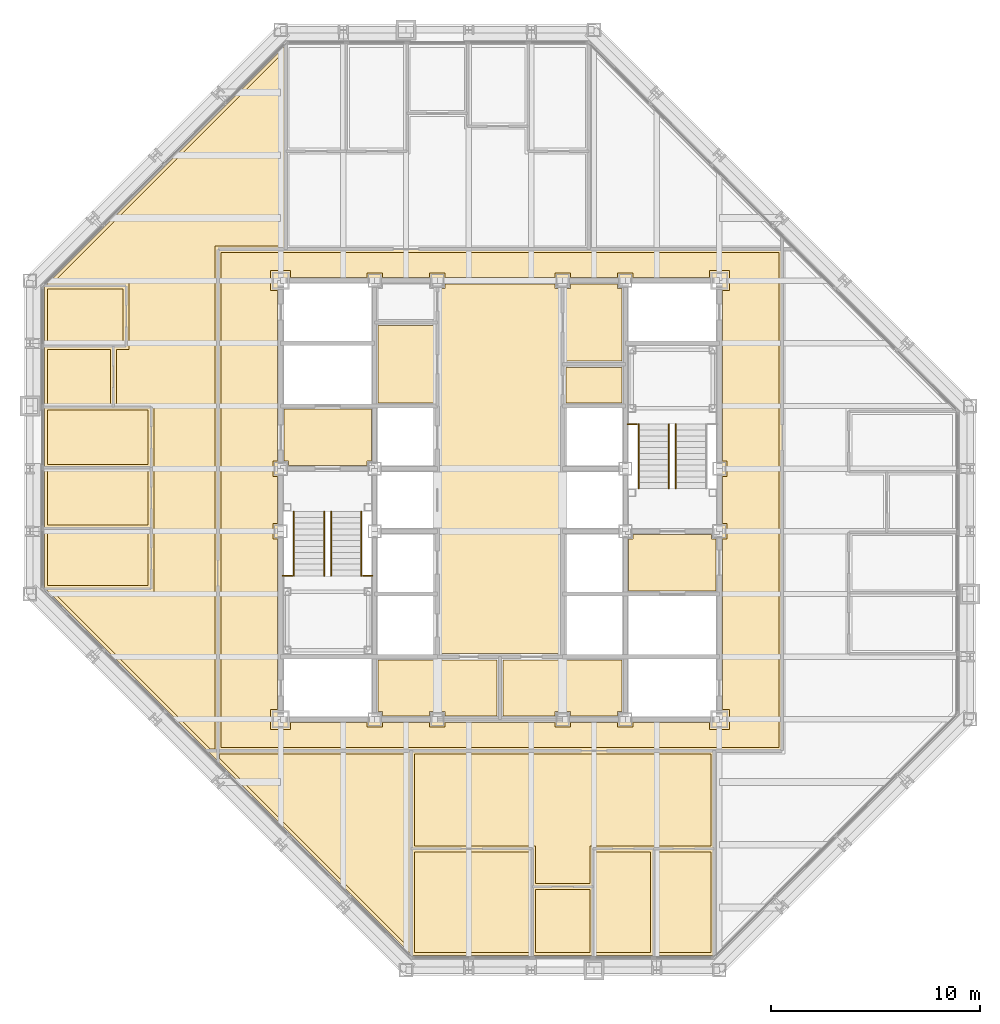
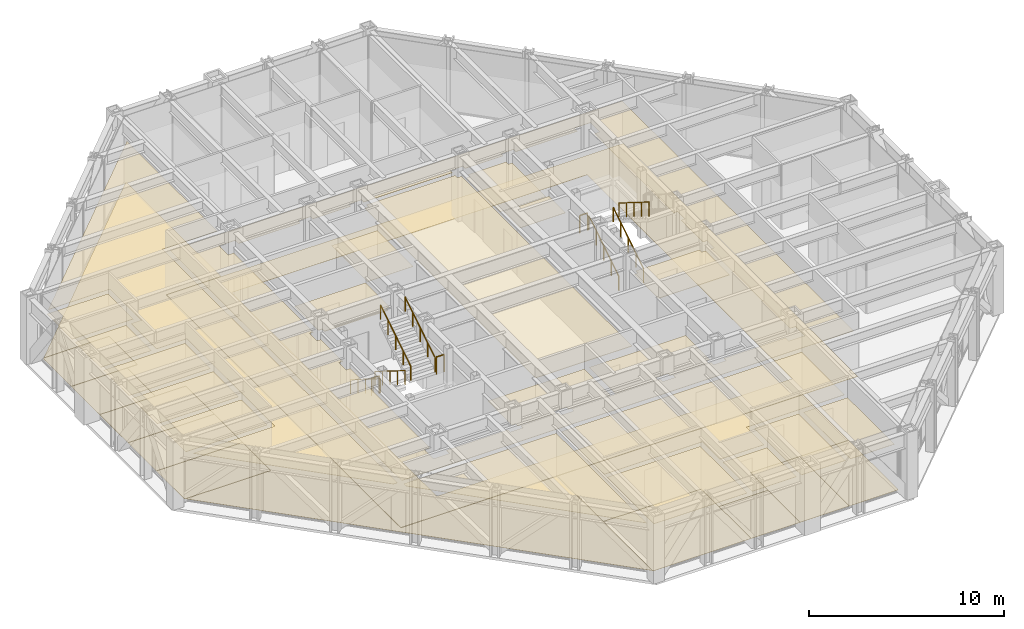
# One storey, part 14 of 15: 33 coverings, 10 railings.
"""IFC4 building model written with IfcOpenShell, lengths in metres."""

from ifc_helpers import new_model, si_unit, direction, frame, origin, origin_2d, place, context, subcontext, project, spatial, polyline, circle, outline, extrude, material, layer, layer_set, type_object, element, save


model = new_model("IFC4")

# Units and contexts
model_context = context("Model", 3, precision=1e-05, world=origin(), true_north=direction((0.0, 1.0)))
body_context = subcontext(model_context, "Body", "Model", "MODEL_VIEW")
ifc_project = project(units=[si_unit("LENGTHUNIT", "METRE"), si_unit("AREAUNIT", "SQUARE_METRE"), si_unit("VOLUMEUNIT", "CUBIC_METRE"), si_unit("PLANEANGLEUNIT", "RADIAN"), si_unit("MASSUNIT", "GRAM", prefix="KILO")], contexts=[model_context])

# Site, building, storey
site_placement = place(None, origin())
site = spatial("IfcSite", under=ifc_project, at=site_placement, CompositionType="ELEMENT")
building_placement = place(site_placement, origin())
building = spatial("IfcBuilding", under=site, at=building_placement, Name="Chuquiago Exchange Tower", CompositionType="ELEMENT")
storey_placement = place(building_placement, frame((0.0, 0.0, 197.10009765625)))
storey = spatial("IfcBuildingStorey", under=building, at=storey_placement, Name="L43", CompositionType="ELEMENT", Elevation=197.10009765625)

# Coverings
ifc_material_1 = material(Name="Mineral fibre tile, 600 x 600, on pale metal grid", Category="mineral fibre")
ifc_layer_1 = layer(ifc_material_1, 0.02001953125)
ifc_layer_set_1 = layer_set([ifc_layer_1], Name="CL1 suspended tile ceiling 20")
covering_type_1 = type_object("IfcCoveringType", Name="CL1 suspended tile ceiling 20", PredefinedType="CEILING", material=ifc_layer_set_1)
covering_1_placement = place(storey_placement, frame((0.0, 0.0, 2.7998046875)))
element("IfcCovering", 1, at=covering_1_placement, inside=storey, type_object=covering_type_1, Name="Ceiling Meeting room", PredefinedType="CEILING", context=body_context, shape_type="SweptSolid", body=[
    extrude(outline(polyline([(18.3984375, 5.64990234375), (23.899658203125, 5.64990234375), (23.899658203125, 0.85009765625), (18.3984375, 0.85009765625), (18.3984375, 5.64990234375)])), origin(), (0.0, 0.0, 1.0), 0.02001953125),
])
covering_2_placement = place(storey_placement, frame((0.0, 0.0, 2.7998046875)))
element("IfcCovering", 2, at=covering_2_placement, inside=storey, type_object=covering_type_1, Name="Ceiling Focus room", PredefinedType="CEILING", context=body_context, shape_type="SweptSolid", body=[
    extrude(outline(polyline([(24.19970703125, 3.85009765625), (26.80029296875, 3.85009765625), (26.80029296875, 0.85009765625), (24.19970703125, 0.85009765625), (24.19970703125, 3.85009765625)])), origin(), (0.0, 0.0, 1.0), 0.02001953125),
])
covering_3_placement = place(storey_placement, frame((0.0, 0.0, 2.7998046875)))
element("IfcCovering", 3, at=covering_3_placement, inside=storey, type_object=covering_type_1, Name="Ceiling Office", PredefinedType="CEILING", context=body_context, shape_type="SweptSolid", body=[
    extrude(outline(polyline([(27.100341796875, 5.64990234375), (29.700927734375, 5.64990234375), (29.700927734375, 0.85009765625), (27.100341796875, 0.85009765625), (27.100341796875, 5.64990234375)])), origin(), (0.0, 0.0, 1.0), 0.02001953125),
])
covering_4_placement = place(storey_placement, frame((0.0, 0.0, 2.7998046875)))
element("IfcCovering", 4, at=covering_4_placement, inside=storey, type_object=covering_type_1, Name="Ceiling Office", PredefinedType="CEILING", context=body_context, shape_type="SweptSolid", body=[
    extrude(outline(polyline([(30.0009765625, 0.85009765625), (30.0009765625, 5.64990234375), (32.6015625, 5.64990234375), (32.6015625, 0.85009765625), (30.0009765625, 0.85009765625)])), origin(), (0.0, 0.0, 1.0), 0.02001953125),
])
covering_5_placement = place(storey_placement, frame((0.0, 0.0, 2.7998046875)))
element("IfcCovering", 5, at=covering_5_placement, inside=storey, type_object=covering_type_1, Name="Ceiling Meeting room", PredefinedType="CEILING", context=body_context, shape_type="SweptSolid", body=[
    extrude(outline(polyline([(0.85009765625, 20.9990234375), (5.64990234375, 20.9990234375), (5.64990234375, 18.3984375), (0.85009765625, 18.3984375), (0.85009765625, 20.9990234375)])), origin(), (0.0, 0.0, 1.0), 0.02001953125),
])
covering_6_placement = place(storey_placement, frame((0.0, 0.0, 2.7998046875)))
element("IfcCovering", 6, at=covering_6_placement, inside=storey, type_object=covering_type_1, Name="Ceiling Office", PredefinedType="CEILING", context=body_context, shape_type="SweptSolid", body=[
    extrude(outline(polyline([(5.64990234375, 23.899658203125), (5.64990234375, 21.299072265625), (0.85009765625, 21.299072265625), (0.85009765625, 23.899658203125), (5.64990234375, 23.899658203125)])), origin(), (0.0, 0.0, 1.0), 0.02001953125),
])
covering_7_placement = place(storey_placement, frame((0.0, 0.0, 2.7998046875)))
element("IfcCovering", 7, at=covering_7_placement, inside=storey, type_object=covering_type_1, Name="Ceiling Office", PredefinedType="CEILING", context=body_context, shape_type="SweptSolid", body=[
    extrude(outline(polyline([(5.64990234375, 26.80029296875), (5.64990234375, 24.19970703125), (0.85009765625, 24.19970703125), (0.85009765625, 26.80029296875), (5.64990234375, 26.80029296875)])), origin(), (0.0, 0.0, 1.0), 0.02001953125),
])
covering_8_placement = place(storey_placement, frame((0.0, 0.0, 2.7998046875)))
element("IfcCovering", 8, at=covering_8_placement, inside=storey, type_object=covering_type_1, Name="Ceiling Focus room", PredefinedType="CEILING", context=body_context, shape_type="SweptSolid", body=[
    extrude(outline(polyline([(3.85009765625, 29.700927734375), (3.85009765625, 27.100341796875), (0.85009765625, 27.100341796875), (0.85009765625, 29.700927734375), (3.85009765625, 29.700927734375)])), origin(), (0.0, 0.0, 1.0), 0.02001953125),
])
covering_9_placement = place(storey_placement, frame((0.0, 0.0, 2.7998046875)))
element("IfcCovering", 9, at=covering_9_placement, inside=storey, type_object=covering_type_1, Name="Ceiling Pantry", PredefinedType="CEILING", context=body_context, shape_type="SweptSolid", body=[
    extrude(outline(polyline([(4.449951171875, 32.6015625), (4.449951171875, 30.0009765625), (0.85009765625, 30.0009765625), (0.85009765625, 32.6015625), (4.449951171875, 32.6015625)])), origin(), (0.0, 0.0, 1.0), 0.02001953125),
])
covering_10_placement = place(storey_placement, frame((0.0, 0.0, 2.7998046875)))
element("IfcCovering", 10, at=covering_10_placement, inside=storey, type_object=covering_type_1, Name="Ceiling Open office south suite", PredefinedType="CEILING", context=body_context, shape_type="SweptSolid", body=[
    extrude(outline(polyline([(26.80029296875, 5.949951171875), (26.80029296875, 4.14990234375), (24.19970703125, 4.14990234375), (24.19970703125, 5.949951171875), (18.39892578125, 5.949951171875), (18.39892578125, 10.349609375), (32.60107421875, 10.349609375), (32.60107421875, 5.949951171875), (26.80029296875, 5.949951171875)])), origin(), (0.0, 0.0, 1.0), 0.02001953125),
])
covering_11_placement = place(storey_placement, frame((0.0, 0.0, 2.7998046875)))
element("IfcCovering", 11, at=covering_11_placement, inside=storey, type_object=covering_type_1, Name="Ceiling Open office west suite", PredefinedType="CEILING", context=body_context, shape_type="SweptSolid", body=[
    extrude(outline(polyline([(5.949951171875, 18.098388671875), (5.949951171875, 27.100341796875), (4.14990234375, 27.100341796875), (4.14990234375, 29.700927734375), (4.75, 29.700927734375), (4.75, 32.901611328125), (1.103515625, 32.901611328125), (12.097900390625, 43.89599609375), (12.097900390625, 34.650390625), (8.849609375, 34.64990234375), (8.849609375, 10.5849609375), (8.616943359375, 10.5849609375), (1.103515625, 18.098388671875), (5.949951171875, 18.098388671875)])), origin(), (0.0, 0.0, 1.0), 0.02001953125),
])
covering_12_placement = place(storey_placement, frame((0.0, 0.0, 2.7998046875)))
element("IfcCovering", 12, at=covering_12_placement, inside=storey, type_object=covering_type_1, Name="Ceiling Open office west suite", PredefinedType="CEILING", context=body_context, shape_type="SweptSolid", body=[
    extrude(outline(polyline([(18.097900390625, 10.349609375), (18.097900390625, 1.10400390625), (9.0849609375, 10.116943359375), (9.0849609375, 10.35009765625), (18.097900390625, 10.349609375)])), origin(), (0.0, 0.0, 1.0), 0.02001953125),
])
covering_13_placement = place(storey_placement, frame((0.0, 0.0, 2.7998046875)))
element("IfcCovering", 13, at=covering_13_placement, inside=storey, type_object=covering_type_1, Name="Ceiling Tenant corridor", PredefinedType="CEILING", context=body_context, shape_type="SweptSolid", body=[
    extrude(outline(polyline([(9.14990234375, 34.35009765625), (35.85009765625, 34.35009765625), (35.85009765625, 10.64990234375), (9.14990234375, 10.64990234375), (9.14990234375, 34.35009765625)]), holes=[polyline([(11.85009765625, 24.375), (11.625, 24.375), (11.625, 23.625), (11.85009765625, 23.625), (11.85009765625, 21.375), (11.625, 21.375), (11.625, 20.625), (11.85009765625, 20.625), (11.85009765625, 12.47509765625), (11.52490234375, 12.47509765625), (11.52490234375, 11.52490234375), (12.47509765625, 11.52490234375), (12.47509765625, 11.85009765625), (16.125, 11.85009765625), (16.125, 11.625), (16.875, 11.625), (16.875, 11.85009765625), (19.125, 11.85009765625), (19.125, 11.625), (19.875, 11.625), (19.875, 11.85009765625), (25.125, 11.85009765625), (25.125, 11.625), (25.875, 11.625), (25.875, 11.85009765625), (28.125, 11.85009765625), (28.125, 11.625), (28.875, 11.625), (28.875, 11.85009765625), (32.52490234375, 11.85009765625), (32.52490234375, 11.52490234375), (33.47509765625, 11.52490234375), (33.47509765625, 12.47509765625), (33.14990234375, 12.47509765625), (33.14990234375, 20.625), (33.375, 20.625), (33.375, 21.375), (33.14990234375, 21.375), (33.14990234375, 23.625), (33.375, 23.625), (33.375, 24.375), (33.14990234375, 24.375), (33.14990234375, 32.52490234375), (33.47509765625, 32.52490234375), (33.47509765625, 33.47509765625), (32.52490234375, 33.47509765625), (32.52490234375, 33.14990234375), (28.875, 33.14990234375), (28.875, 33.375), (28.125, 33.375), (28.125, 33.14990234375), (25.875, 33.14990234375), (25.875, 33.375), (25.125, 33.375), (25.125, 33.14990234375), (19.875, 33.14990234375), (19.875, 33.375), (19.125, 33.375), (19.125, 33.14990234375), (16.875, 33.14990234375), (16.875, 33.375), (16.125, 33.375), (16.125, 33.14990234375), (12.47509765625, 33.14990234375), (12.47509765625, 33.47509765625), (11.52490234375, 33.47509765625), (11.52490234375, 32.52490234375), (11.85009765625, 32.52490234375), (11.85009765625, 24.375)])]), origin(), (0.0, 0.0, 1.0), 0.02001953125),
])
covering_14_placement = place(storey_placement, frame((0.0, 0.0, 2.7998046875)))
element("IfcCovering", 14, at=covering_14_placement, inside=storey, type_object=covering_type_1, Name="Ceiling First aid room", PredefinedType="CEILING", context=body_context, shape_type="SweptSolid", body=[
    extrude(outline(polyline([(25.64990234375, 27.14990234375), (25.64990234375, 28.85009765625), (28.35009765625, 28.85009765625), (28.35009765625, 27.14990234375), (25.64990234375, 27.14990234375)])), origin(), (0.0, 0.0, 1.0), 0.02001953125),
])
ifc_material_2 = material(Name="Moisture resistant plasterboard on metal frame", Category="gypsum")
ifc_layer_2 = layer(ifc_material_2, 0.014892578125)
ifc_layer_set_2 = layer_set([ifc_layer_2], Name="CL2 moisture resistant ceiling 15")
covering_type_2 = type_object("IfcCoveringType", Name="CL2 moisture resistant ceiling 15", PredefinedType="CEILING", material=ifc_layer_set_2)
covering_15_placement = place(storey_placement, frame((0.0, 0.0, 2.599853515625)))
element("IfcCovering", 15, at=covering_15_placement, inside=storey, type_object=covering_type_2, Name="Ceiling Male WC", PredefinedType="CEILING", context=body_context, shape_type="SweptSolid", body=[
    extrude(outline(polyline([(16.64990234375, 27.14990234375), (16.64990234375, 30.85009765625), (19.35009765625, 30.85009765625), (19.35009765625, 27.14990234375), (16.64990234375, 27.14990234375)])), origin(), (0.0, 0.0, 1.0), 0.01513671875),
])
covering_16_placement = place(storey_placement, frame((0.0, 0.0, 2.599853515625)))
element("IfcCovering", 16, at=covering_16_placement, inside=storey, type_object=covering_type_2, Name="Ceiling Female WC", PredefinedType="CEILING", context=body_context, shape_type="SweptSolid", body=[
    extrude(outline(polyline([(25.64990234375, 29.14990234375), (25.64990234375, 32.625), (25.875, 32.625), (25.875, 32.85009765625), (28.125, 32.85009765625), (28.125, 32.625), (28.35009765625, 32.625), (28.35009765625, 29.14990234375), (25.64990234375, 29.14990234375)])), origin(), (0.0, 0.0, 1.0), 0.01513671875),
])
covering_17_placement = place(storey_placement, frame((0.0, 0.0, 2.599853515625)))
element("IfcCovering", 17, at=covering_17_placement, inside=storey, type_object=covering_type_2, Name="Ceiling Accessible WC", PredefinedType="CEILING", context=body_context, shape_type="SweptSolid", body=[
    extrude(outline(polyline([(25.875, 12.14990234375), (25.875, 12.375), (25.125, 12.375), (25.125, 12.14990234375), (22.64990234375, 12.14990234375), (22.64990234375, 14.85009765625), (28.35009765625, 14.85009765625), (28.35009765625, 12.375), (28.125, 12.375), (28.125, 12.14990234375), (25.875, 12.14990234375)])), origin(), (0.0, 0.0, 1.0), 0.01513671875),
])
covering_18_placement = place(storey_placement, frame((0.0, 0.0, 2.599853515625)))
element("IfcCovering", 18, at=covering_18_placement, inside=storey, type_object=covering_type_2, Name="Ceiling Cleaner", PredefinedType="CEILING", context=body_context, shape_type="SweptSolid", body=[
    extrude(outline(polyline([(19.875, 12.14990234375), (19.875, 12.375), (19.125, 12.375), (19.125, 12.14990234375), (16.875, 12.14990234375), (16.875, 12.375), (16.64990234375, 12.375), (16.64990234375, 14.85009765625), (22.35009765625, 14.85009765625), (22.35009765625, 12.14990234375), (19.875, 12.14990234375)])), origin(), (0.0, 0.0, 1.0), 0.01513671875),
])
ifc_material_3 = material(Name="Pale metal plank ceiling, perforated", Category="aluminium")
ifc_layer_3 = layer(ifc_material_3, 0.030029296875)
ifc_layer_set_3 = layer_set([ifc_layer_3], Name="CL3 metal plank ceiling 30")
covering_type_3 = type_object("IfcCoveringType", Name="CL3 metal plank ceiling 30", PredefinedType="CEILING", material=ifc_layer_set_3)
covering_19_placement = place(storey_placement, frame((0.0, 0.0, 2.7998046875)))
element("IfcCovering", 19, at=covering_19_placement, inside=storey, type_object=covering_type_3, Name="Ceiling Lift lobby", PredefinedType="CEILING", context=body_context, shape_type="SweptSolid", body=[
    extrude(outline(polyline([(19.64990234375, 15.14990234375), (19.64990234375, 32.625), (19.875, 32.625), (19.875, 32.85009765625), (25.125, 32.85009765625), (25.125, 32.625), (25.35009765625, 32.625), (25.35009765625, 15.14990234375), (19.64990234375, 15.14990234375)])), origin(), (0.0, 0.0, 1.0), 0.030029296875),
])
covering_20_placement = place(storey_placement, frame((0.0, 0.0, 2.7998046875)))
element("IfcCovering", 20, at=covering_20_placement, inside=storey, type_object=covering_type_3, Name="Ceiling Firefighting lobby", PredefinedType="CEILING", context=body_context, shape_type="SweptSolid", body=[
    extrude(outline(polyline([(12.375, 24.14990234375), (12.375, 24.375), (12.14990234375, 24.375), (12.14990234375, 26.85009765625), (16.35009765625, 26.85009765625), (16.35009765625, 24.375), (16.125, 24.375), (16.125, 24.14990234375), (12.375, 24.14990234375)])), origin(), (0.0, 0.0, 1.0), 0.030029296875),
])
covering_21_placement = place(storey_placement, frame((0.0, 0.0, 2.7998046875)))
element("IfcCovering", 21, at=covering_21_placement, inside=storey, type_object=covering_type_3, Name="Ceiling Firefighting lobby", PredefinedType="CEILING", context=body_context, shape_type="SweptSolid", body=[
    extrude(outline(polyline([(28.64990234375, 18.14990234375), (28.64990234375, 20.625), (28.875, 20.625), (28.875, 20.85009765625), (32.625, 20.85009765625), (32.625, 20.625), (32.85009765625, 20.625), (32.85009765625, 18.14990234375), (28.64990234375, 18.14990234375)])), origin(), (0.0, 0.0, 1.0), 0.030029296875),
])
ifc_material_4 = material(Name="Carpet tile, 500 x 500, on the floor slab", Category="textile")
ifc_layer_4 = layer(ifc_material_4, 0.010009765625)
ifc_layer_set_4 = layer_set([ifc_layer_4], Name="FL1 carpet tile 10")
covering_type_4 = type_object("IfcCoveringType", Name="FL1 carpet tile 10", PredefinedType="FLOORING", material=ifc_layer_set_4)
covering_22_placement = place(storey_placement, origin())
element("IfcCovering", 22, at=covering_22_placement, inside=storey, type_object=covering_type_4, Name="Floor finish Meeting room", PredefinedType="FLOORING", context=body_context, shape_type="SweptSolid", body=[
    extrude(outline(polyline([(18.289794921875, 0.699951171875), (18.24853515625, 0.741455078125), (18.24853515625, 5.800048828125), (24.0498046875, 5.800048828125), (24.0498046875, 0.699951171875), (18.289794921875, 0.699951171875)])), origin(), (0.0, 0.0, 1.0), 0.010009765625),
])
covering_23_placement = place(storey_placement, origin())
element("IfcCovering", 23, at=covering_23_placement, inside=storey, type_object=covering_type_4, Name="Floor finish Focus room", PredefinedType="FLOORING", context=body_context, shape_type="SweptSolid", body=[
    extrude(outline(polyline([(24.0498046875, 0.699951171875), (24.0498046875, 4.0), (26.9501953125, 4.0), (26.9501953125, 0.699951171875), (24.0498046875, 0.699951171875)])), origin(), (0.0, 0.0, 1.0), 0.010009765625),
])
covering_24_placement = place(storey_placement, origin())
element("IfcCovering", 24, at=covering_24_placement, inside=storey, type_object=covering_type_4, Name="Floor finish Office", PredefinedType="FLOORING", context=body_context, shape_type="SweptSolid", body=[
    extrude(outline(polyline([(26.9501953125, 0.699951171875), (26.9501953125, 5.800048828125), (29.850830078125, 5.800048828125), (29.850830078125, 0.699951171875), (26.9501953125, 0.699951171875)])), origin(), (0.0, 0.0, 1.0), 0.010009765625),
])
covering_25_placement = place(storey_placement, origin())
element("IfcCovering", 25, at=covering_25_placement, inside=storey, type_object=covering_type_4, Name="Floor finish Office", PredefinedType="FLOORING", context=body_context, shape_type="SweptSolid", body=[
    extrude(outline(polyline([(32.710205078125, 0.699951171875), (29.850830078125, 0.699951171875), (29.850830078125, 5.800048828125), (32.75146484375, 5.800048828125), (32.75146484375, 0.741455078125), (32.710205078125, 0.699951171875)])), origin(), (0.0, 0.0, 1.0), 0.010009765625),
])
covering_26_placement = place(storey_placement, origin())
element("IfcCovering", 26, at=covering_26_placement, inside=storey, type_object=covering_type_4, Name="Floor finish Meeting room", PredefinedType="FLOORING", context=body_context, shape_type="SweptSolid", body=[
    extrude(outline(polyline([(0.699951171875, 21.149169921875), (5.800048828125, 21.149169921875), (5.800048828125, 18.24853515625), (0.741455078125, 18.24853515625), (0.699951171875, 18.289794921875), (0.699951171875, 21.149169921875)])), origin(), (0.0, 0.0, 1.0), 0.010009765625),
])
covering_27_placement = place(storey_placement, origin())
element("IfcCovering", 27, at=covering_27_placement, inside=storey, type_object=covering_type_4, Name="Floor finish Office", PredefinedType="FLOORING", context=body_context, shape_type="SweptSolid", body=[
    extrude(outline(polyline([(0.699951171875, 24.0498046875), (5.800048828125, 24.0498046875), (5.800048828125, 21.149169921875), (0.699951171875, 21.149169921875), (0.699951171875, 24.0498046875)])), origin(), (0.0, 0.0, 1.0), 0.010009765625),
])
covering_28_placement = place(storey_placement, origin())
element("IfcCovering", 28, at=covering_28_placement, inside=storey, type_object=covering_type_4, Name="Floor finish Office", PredefinedType="FLOORING", context=body_context, shape_type="SweptSolid", body=[
    extrude(outline(polyline([(0.699951171875, 26.9501953125), (5.800048828125, 26.9501953125), (5.800048828125, 24.0498046875), (0.699951171875, 24.0498046875), (0.699951171875, 26.9501953125)])), origin(), (0.0, 0.0, 1.0), 0.010009765625),
])
covering_29_placement = place(storey_placement, origin())
element("IfcCovering", 29, at=covering_29_placement, inside=storey, type_object=covering_type_4, Name="Floor finish Focus room", PredefinedType="FLOORING", context=body_context, shape_type="SweptSolid", body=[
    extrude(outline(polyline([(0.699951171875, 29.850830078125), (4.0, 29.850830078125), (4.0, 26.9501953125), (0.699951171875, 26.9501953125), (0.699951171875, 29.850830078125)])), origin(), (0.0, 0.0, 1.0), 0.010009765625),
])
covering_30_placement = place(storey_placement, origin())
element("IfcCovering", 30, at=covering_30_placement, inside=storey, type_object=covering_type_4, Name="Floor finish Open office south suite", PredefinedType="FLOORING", context=body_context, shape_type="SweptSolid", body=[
    extrude(outline(polyline([(32.7509765625, 5.800048828125), (26.9501953125, 5.800048828125), (26.9501953125, 4.0), (24.0498046875, 4.0), (24.0498046875, 5.800048828125), (18.2490234375, 5.800048828125), (18.2490234375, 10.49951171875), (32.7509765625, 10.49951171875), (32.7509765625, 5.800048828125)])), origin(), (0.0, 0.0, 1.0), 0.010009765625),
])
covering_31_placement = place(storey_placement, origin())
element("IfcCovering", 31, at=covering_31_placement, inside=storey, type_object=covering_type_4, Name="Floor finish Open office west suite", PredefinedType="FLOORING", context=body_context, shape_type="SweptSolid", body=[
    extrude(outline(polyline([(0.741455078125, 18.24853515625), (5.800048828125, 18.24853515625), (5.800048828125, 26.9501953125), (4.0, 26.9501953125), (4.0, 29.850830078125), (4.60009765625, 29.850830078125), (4.60009765625, 32.75146484375), (0.741455078125, 32.75146484375), (12.248046875, 44.258056640625), (12.248046875, 34.50048828125), (8.99951171875, 34.5), (8.99951171875, 10.5), (18.248046875, 10.49951171875), (18.248046875, 0.741943359375), (0.741455078125, 18.24853515625)])), origin(), (0.0, 0.0, 1.0), 0.010009765625),
])
ifc_material_5 = material(Name="Porcelain floor tile, 600 x 600, on adhesive bed", Category="ceramic")
ifc_layer_5 = layer(ifc_material_5, 0.014892578125)
ifc_layer_set_5 = layer_set([ifc_layer_5], Name="FL2 porcelain tile 15")
covering_type_5 = type_object("IfcCoveringType", Name="FL2 porcelain tile 15", PredefinedType="FLOORING", material=ifc_layer_set_5)
covering_32_placement = place(storey_placement, origin())
element("IfcCovering", 32, at=covering_32_placement, inside=storey, type_object=covering_type_5, Name="Floor finish Pantry", PredefinedType="FLOORING", context=body_context, shape_type="SweptSolid", body=[
    extrude(outline(polyline([(0.699951171875, 32.710205078125), (0.741455078125, 32.75146484375), (4.60009765625, 32.75146484375), (4.60009765625, 29.850830078125), (0.699951171875, 29.850830078125), (0.699951171875, 32.710205078125)])), origin(), (0.0, 0.0, 1.0), 0.014892578125),
])
covering_33_placement = place(storey_placement, origin())
element("IfcCovering", 33, at=covering_33_placement, inside=storey, type_object=covering_type_5, Name="Floor finish Tenant corridor", PredefinedType="FLOORING", context=body_context, shape_type="SweptSolid", body=[
    extrude(outline(polyline([(9.0, 10.5), (9.0, 34.5), (36.0, 34.5), (36.0, 10.5), (9.0, 10.5)]), holes=[polyline([(12.0, 33.0), (12.0, 12.0), (33.0, 12.0), (33.0, 33.0), (12.0, 33.0)])]), origin(), (0.0, 0.0, 1.0), 0.014892578125),
])

# Railings
ifc_material_6 = material(Name="Pale metal guard with safety glass infill", Category="glass")
railing_type_1 = type_object("IfcRailingType", Name="GR1 guard 1100", PredefinedType="GUARDRAIL", material=ifc_material_6)
for number, where, name in (
    (34, (12.10009765625, 18.8701171875, 2.099853515625), "Guard ST1 L43 landing 2"),
    (35, (15.945068359375, 18.8701171875, 2.099853515625), "Guard ST1 L43 landing 2"),
    (36, (28.60009765625, 26.1298828125, 2.099853515625), "Guard ST2 L43 landing 2"),
):
    element("IfcRailing", number, at=place(storey_placement, frame(where)), inside=storey, type_object=railing_type_1, Name=name, PredefinedType="GUARDRAIL", context=body_context, shape_type="SweptSolid", body=[
        extrude(circle(Radius=0.02392578125, at=origin_2d()), frame((0.0, 0.0, 1.076171875), z_axis=(1.0, 0.0, 0.0), x_axis=(0.0, 1.0, 0.0)), (0.0, 0.0, 1.0), 0.454833984375),
        extrude(circle(Radius=0.02099609375, at=origin_2d()), origin(), (0.0, 0.0, 1.0), 1.052001953125),
        extrude(circle(Radius=0.02099609375, at=origin_2d()), frame((0.454833984375, 0.0, 0.0)), (0.0, 0.0, 1.0), 1.052001953125),
    ])
ifc_material_7 = material(Name="Pale metal handrail", Category="steel")
railing_type_2 = type_object("IfcRailingType", Name="HR1 handrail 900", PredefinedType="HANDRAIL", material=ifc_material_7)
for number, where, name in (
    (37, (12.635009765625, 21.949951171875, 0.1748046875), "Handrail ST1 L43 flight 1"),
    (38, (14.0849609375, 21.949951171875, 0.1748046875), "Handrail ST1 L43 flight 1"),
):
    element("IfcRailing", number, at=place(storey_placement, frame(where)), inside=storey, type_object=railing_type_2, Name=name, PredefinedType="HANDRAIL", context=body_context, shape_type="SweptSolid", body=[
        extrude(circle(Radius=0.02392578125, at=origin_2d()), frame((0.0, 0.0, 0.8759765625), z_axis=(0.0, -0.847979421464, 0.530029150871), x_axis=(1.0, 0.0, 0.0)), (0.0, 0.0, 1.0), 3.632080078125),
        extrude(circle(Radius=0.02099609375, at=origin_2d()), origin(), (0.0, 0.0, 1.0), 0.851806640625),
        extrude(circle(Radius=0.02099609375, at=origin_2d()), frame((0.0, -0.77001953125, 0.481201171875)), (0.0, 0.0, 1.0), 0.851806640625),
        extrude(circle(Radius=0.02099609375, at=origin_2d()), frame((0.0, -1.5400390625, 0.96240234375)), (0.0, 0.0, 1.0), 0.851806640625),
        extrude(circle(Radius=0.02099609375, at=origin_2d()), frame((0.0, -2.309814453125, 1.44384765625)), (0.0, 0.0, 1.0), 0.851806640625),
        extrude(circle(Radius=0.02099609375, at=origin_2d()), frame((0.0, -3.079833984375, 1.925048828125)), (0.0, 0.0, 1.0), 0.851806640625),
    ])
for number, where, name in (
    (39, (15.864990234375, 18.8701171875, 2.27490234375), "Handrail ST1 L43 flight 2"),
    (40, (14.4150390625, 18.8701171875, 2.27490234375), "Handrail ST1 L43 flight 2"),
    (41, (30.5849609375, 23.050048828125, 0.1748046875), "Handrail ST2 L43 flight 1"),
    (42, (29.135009765625, 23.050048828125, 0.1748046875), "Handrail ST2 L43 flight 1"),
):
    element("IfcRailing", number, at=place(storey_placement, frame(where)), inside=storey, type_object=railing_type_2, Name=name, PredefinedType="HANDRAIL", context=body_context, shape_type="SweptSolid", body=[
        extrude(circle(Radius=0.02392578125, at=origin_2d()), frame((0.0, 0.0, 0.8759765625), z_axis=(0.0, 0.847979421464, 0.530029150871), x_axis=(-1.0, 0.0, 0.0)), (0.0, 0.0, 1.0), 3.632080078125),
        extrude(circle(Radius=0.02099609375, at=origin_2d()), origin(), (0.0, 0.0, 1.0), 0.851806640625),
        extrude(circle(Radius=0.02099609375, at=origin_2d()), frame((0.0, 0.77001953125, 0.481201171875)), (0.0, 0.0, 1.0), 0.851806640625),
        extrude(circle(Radius=0.02099609375, at=origin_2d()), frame((0.0, 1.5400390625, 0.96240234375)), (0.0, 0.0, 1.0), 0.851806640625),
        extrude(circle(Radius=0.02099609375, at=origin_2d()), frame((0.0, 2.309814453125, 1.44384765625)), (0.0, 0.0, 1.0), 0.851806640625),
        extrude(circle(Radius=0.02099609375, at=origin_2d()), frame((0.0, 3.079833984375, 1.925048828125)), (0.0, 0.0, 1.0), 0.851806640625),
    ])
railing_placement = place(storey_placement, frame((30.9150390625, 26.1298828125, 2.27490234375)))
element("IfcRailing", 43, at=railing_placement, inside=storey, type_object=railing_type_2, Name="Handrail ST2 L43 flight 2", PredefinedType="HANDRAIL", context=body_context, shape_type="SweptSolid", body=[
    extrude(circle(Radius=0.02392578125, at=origin_2d()), frame((0.0, 0.0, 0.8759765625), z_axis=(0.0, -0.847979421464, 0.530029150871), x_axis=(1.0, 0.0, 0.0)), (0.0, 0.0, 1.0), 3.632080078125),
    extrude(circle(Radius=0.02099609375, at=origin_2d()), origin(), (0.0, 0.0, 1.0), 0.851806640625),
    extrude(circle(Radius=0.02099609375, at=origin_2d()), frame((0.0, -0.77001953125, 0.481201171875)), (0.0, 0.0, 1.0), 0.851806640625),
    extrude(circle(Radius=0.02099609375, at=origin_2d()), frame((0.0, -1.5400390625, 0.96240234375)), (0.0, 0.0, 1.0), 0.851806640625),
    extrude(circle(Radius=0.02099609375, at=origin_2d()), frame((0.0, -2.309814453125, 1.44384765625)), (0.0, 0.0, 1.0), 0.851806640625),
    extrude(circle(Radius=0.02099609375, at=origin_2d()), frame((0.0, -3.079833984375, 1.925048828125)), (0.0, 0.0, 1.0), 0.851806640625),
])

save(model, "model.ifc")
